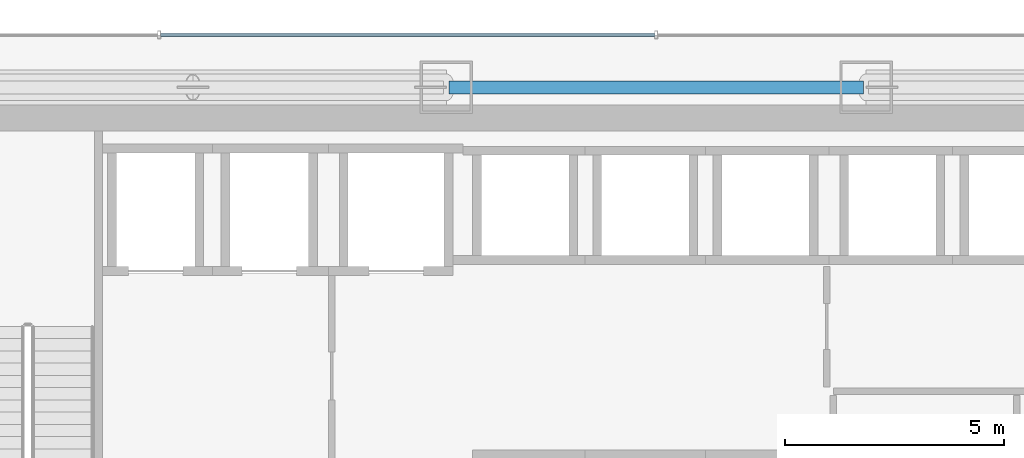
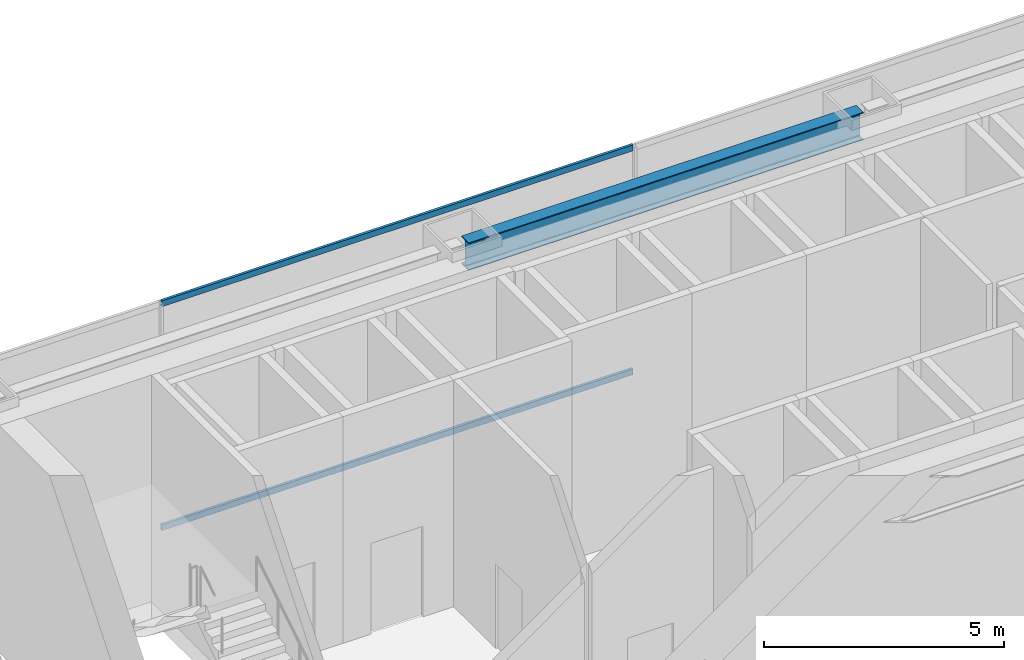
# One storey, part 22 of 35: 2 members, 1 beam, 1 element without a shape of its own.
"""IFC4 building model written with IfcOpenShell, lengths in metres."""

from ifc_helpers import new_model, si_unit, direction, frame, origin, origin_2d, place, context, subcontext, project, spatial, hollow_rectangle, i_section, extrude, material, material_profile, profile_set, type_object, element, aggregate, save


model = new_model("IFC4")

# Units and contexts
model_context = context("Model", 3, precision=1e-05, world=origin(), true_north=direction((0.0, 1.0)))
body_context = subcontext(model_context, "Body", "Model", "MODEL_VIEW")
ifc_project = project(units=[si_unit("LENGTHUNIT", "METRE"), si_unit("AREAUNIT", "SQUARE_METRE"), si_unit("VOLUMEUNIT", "CUBIC_METRE"), si_unit("PLANEANGLEUNIT", "RADIAN"), si_unit("MASSUNIT", "GRAM", prefix="KILO")], contexts=[model_context])

# Site, building, storey
site_placement = place(None, origin())
site = spatial("IfcSite", under=ifc_project, at=site_placement, CompositionType="ELEMENT")
building_placement = place(site_placement, origin())
building = spatial("IfcBuilding", under=site, at=building_placement, Name="Saevonmaru Cultural Tower", CompositionType="ELEMENT")
storey_placement = place(building_placement, frame((0.0, 0.0, 86.800048828125)))
storey = spatial("IfcBuildingStorey", under=building, at=storey_placement, Name="L18", CompositionType="ELEMENT", Elevation=86.800048828125)

# Beam
ifc_material_1 = material(Name="Steel SM355", Category="steel")
ifc_material_profile_1 = material_profile(ifc_material_1, i_section(OverallWidth=0.300048828125, OverallDepth=0.699951171875, WebThickness=0.012939453125, FlangeThickness=0.02392578125, FilletRadius=0.02587890625, at=origin_2d()), Name="H-700x300x13x24")
ifc_profile_set_1 = profile_set([ifc_material_profile_1], Name="Steel SM355")
beam_type = type_object("IfcBeamType", Name="BM-SP-H700", PredefinedType="SPANDREL", material=ifc_profile_set_1)
beam_placement = place(storey_placement, frame((25.260009765625, 54.800048828125, 5.39990234375), z_axis=(1.0, 0.0, 0.0), x_axis=(0.0, 1.0, 0.0)))
element("IfcBeam", 1, at=beam_placement, inside=storey, type_object=beam_type, Name="L18 North Spine Girder 3", PredefinedType="SPANDREL", context=body_context, shape_type="SweptSolid", body=[
    extrude(i_section(OverallWidth=0.300048828125, OverallDepth=0.699951171875, WebThickness=0.012939453125, FlangeThickness=0.02392578125, FilletRadius=0.02587890625, at=origin_2d()), origin(), (0.0, 0.0, 1.0), 9.47998046875),
])

# Curtain wall, members
ifc_material_2 = material(Name="Satin Bronze Anodised Aluminium", Category="aluminium")
curtain_wall_type = type_object("IfcCurtainWallType", Name="CW-TYP-A", PredefinedType="NOTDEFINED", material=ifc_material_2)
curtain_wall_placement = place(storey_placement, origin())
curtain_wall = element("IfcCurtainWall", 2, at=curtain_wall_placement, inside=storey, type_object=curtain_wall_type, Name="L18 Wind-Floor Acoustic Louvre Screen E10", PredefinedType="NOTDEFINED")
ifc_material_profile_2 = material_profile(ifc_material_2, hollow_rectangle(XDim=0.06494140625, YDim=0.14990234375, WallThickness=0.00390625, at=origin_2d()), Name="ALU-TRAN-150x65x4")
ifc_profile_set_2 = profile_set([ifc_material_profile_2], Name="Satin Bronze Anodised Aluminium")
member_type = type_object("IfcMemberType", Name="TR-CW-150x65", PredefinedType="USERDEFINED", material=ifc_profile_set_2)
member_1_placement = place(storey_placement, frame((29.967529296875, 56.0, 0.032470703125), z_axis=(-1.0, 0.0, 0.0), x_axis=(0.0, -1.0, 0.0)))
member_1 = element("IfcMember", 3, at=member_1_placement, type_object=member_type, Name="CW-TW-L18-E10 transom 3.1", ObjectType="TRANSOM", PredefinedType="USERDEFINED", context=body_context, shape_type="SweptSolid", body=[
    extrude(hollow_rectangle(XDim=0.06494140625, YDim=0.14990234375, WallThickness=0.00390625, at=origin_2d()), origin(), (0.0, 0.0, 1.0), 11.304931640625),
])
member_2_placement = place(storey_placement, frame((29.967529296875, 56.0, 5.717529296875), z_axis=(-1.0, 0.0, 0.0), x_axis=(0.0, -1.0, 0.0)))
member_2 = element("IfcMember", 4, at=member_2_placement, type_object=member_type, Name="CW-TW-L18-E10 transom 3.2", ObjectType="TRANSOM", PredefinedType="USERDEFINED", context=body_context, shape_type="SweptSolid", body=[
    extrude(hollow_rectangle(XDim=0.06494140625, YDim=0.14990234375, WallThickness=0.00390625, at=origin_2d()), origin(), (0.0, 0.0, 1.0), 11.304931640625),
])
aggregate(curtain_wall, [member_1, member_2])

save(model, "model.ifc")
